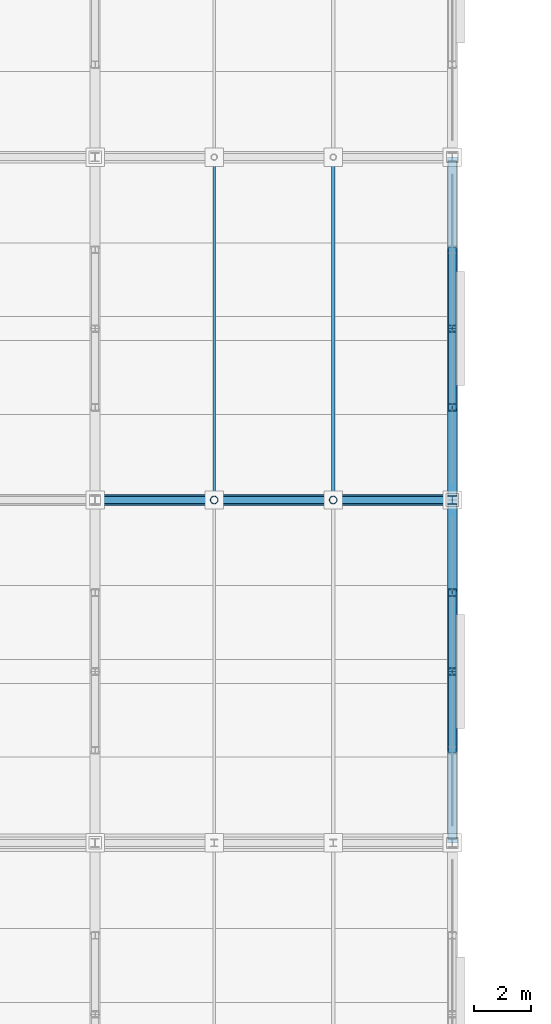
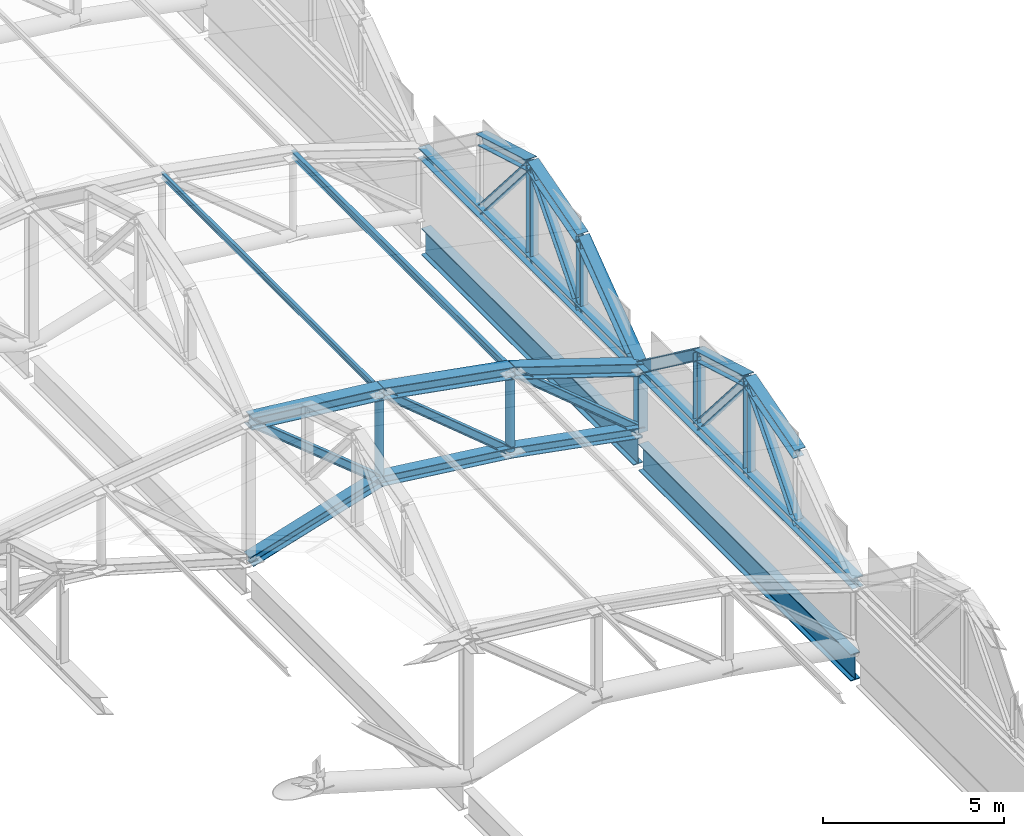
# One storey, part 65 of 117: 30 members, 2 beams.
"""IFC4 building model written with IfcOpenShell, lengths in metres."""

from ifc_helpers import new_model, si_unit, direction, frame, origin, origin_2d, place, context, subcontext, project, spatial, hollow_circle, i_section, extrude, material, material_profile, profile_set, type_object, element, save


model = new_model("IFC4")

# Units and contexts
model_context = context("Model", 3, precision=1e-05, world=origin(), true_north=direction((0.0, 1.0)))
body_context = subcontext(model_context, "Body", "Model", "MODEL_VIEW")
ifc_project = project(units=[si_unit("LENGTHUNIT", "METRE"), si_unit("AREAUNIT", "SQUARE_METRE"), si_unit("VOLUMEUNIT", "CUBIC_METRE"), si_unit("PLANEANGLEUNIT", "RADIAN"), si_unit("MASSUNIT", "GRAM", prefix="KILO")], contexts=[model_context])

# Site, building, storey
site_placement = place(None, origin())
site = spatial("IfcSite", under=ifc_project, at=site_placement, CompositionType="ELEMENT")
building_placement = place(site_placement, origin())
building = spatial("IfcBuilding", under=site, at=building_placement, Name="Kazenohara Klinker Stadium", CompositionType="ELEMENT")
storey_placement = place(building_placement, frame((0.0, 0.0, 31.199951171875)))
storey = spatial("IfcBuildingStorey", under=building, at=storey_placement, Name="RF", CompositionType="ELEMENT", Elevation=31.199951171875)

# Members
ifc_material = material(Name="Steel S355", Category="steel")
ifc_material_profile_1 = material_profile(ifc_material, i_section(OverallWidth=0.25, OverallDepth=0.25, WebThickness=0.009033203125, FlangeThickness=0.013916015625, FilletRadius=0.012939453125, at=origin_2d()), Name="H-250x250x9x14")
ifc_profile_set_1 = profile_set([ifc_material_profile_1], Name="Steel S355")
member_type_1 = type_object("IfcMemberType", Name="MEM-BRC02", PredefinedType="BRACE", material=ifc_profile_set_1)
member_1_placement = place(storey_placement, frame((187.5, 84.0, -0.02001953125), z_axis=(-0.76843159807, 0.0, 0.639931933168), x_axis=(0.0, -1.0, 0.0)))
element("IfcMember", 1, at=member_1_placement, inside=storey, type_object=member_type_1, Name="ROOF TRUSS RT-E04 web diagonal 1", PredefinedType="BRACE", context=body_context, shape_type="SweptSolid", body=[
    extrude(i_section(OverallWidth=0.25, OverallDepth=0.25, WebThickness=0.009033203125, FlangeThickness=0.013916015625, FilletRadius=0.012939453125, at=origin_2d()), origin(), (0.0, 0.0, 1.0), 5.42236328125),
])
member_2_placement = place(storey_placement, frame((183.333251953125, 84.0, 0.75), z_axis=(-0.770229945983, 0.0, 0.637766281887), x_axis=(0.0, -1.0, 0.0)))
element("IfcMember", 2, at=member_2_placement, inside=storey, type_object=member_type_1, Name="ROOF TRUSS RT-E04 web diagonal 2", PredefinedType="BRACE", context=body_context, shape_type="SweptSolid", body=[
    extrude(i_section(OverallWidth=0.25, OverallDepth=0.25, WebThickness=0.009033203125, FlangeThickness=0.013916015625, FilletRadius=0.012939453125, at=origin_2d()), origin(), (0.0, 0.0, 1.0), 5.409423828125),
])
member_3_placement = place(storey_placement, frame((179.166748046875, 84.0, 1.25), z_axis=(-0.774777826172, 0.0, 0.632233596127), x_axis=(0.0, -1.0, 0.0)))
element("IfcMember", 3, at=member_3_placement, inside=storey, type_object=member_type_1, Name="ROOF TRUSS RT-E04 web diagonal 3", PredefinedType="BRACE", context=body_context, shape_type="SweptSolid", body=[
    extrude(i_section(OverallWidth=0.25, OverallDepth=0.25, WebThickness=0.009033203125, FlangeThickness=0.013916015625, FilletRadius=0.012939453125, at=origin_2d()), origin(), (0.0, 0.0, 1.0), 5.3779296875),
])
ifc_material_profile_2 = material_profile(ifc_material, i_section(OverallWidth=0.39990234375, OverallDepth=0.39990234375, WebThickness=0.012939453125, FlangeThickness=0.02099609375, FilletRadius=0.02197265625, at=origin_2d()), Name="H-400x400x13x21")
ifc_profile_set_2 = profile_set([ifc_material_profile_2], Name="Steel S355")
member_type_2 = type_object("IfcMemberType", Name="MEM-CHD01", PredefinedType="CHORD", material=ifc_profile_set_2)
member_4_placement = place(storey_placement, frame((187.5, 84.0, 2.10009765625), z_axis=(-0.951324890397, 0.0, 0.308189800141), x_axis=(0.0, -1.0, 0.0)))
element("IfcMember", 4, at=member_4_placement, inside=storey, type_object=member_type_2, Name="ROOF TRUSS RT-E04 top arched chord 1", PredefinedType="CHORD", context=body_context, shape_type="SweptSolid", body=[
    extrude(i_section(OverallWidth=0.39990234375, OverallDepth=0.39990234375, WebThickness=0.012939453125, FlangeThickness=0.02099609375, FilletRadius=0.02197265625, at=origin_2d()), origin(), (0.0, 0.0, 1.0), 4.3798828125),
])
member_5_placement = place(storey_placement, frame((183.333251953125, 84.0, 3.449951171875), z_axis=(-0.984182117389, 0.0, 0.177159701431), x_axis=(0.0, -1.0, 0.0)))
element("IfcMember", 5, at=member_5_placement, inside=storey, type_object=member_type_2, Name="ROOF TRUSS RT-E04 top arched chord 2", PredefinedType="CHORD", context=body_context, shape_type="SweptSolid", body=[
    extrude(i_section(OverallWidth=0.39990234375, OverallDepth=0.39990234375, WebThickness=0.012939453125, FlangeThickness=0.02099609375, FilletRadius=0.02197265625, at=origin_2d()), origin(), (0.0, 0.0, 1.0), 4.2333984375),
])
member_6_placement = place(storey_placement, frame((179.166748046875, 84.0, 4.199951171875), z_axis=(-0.994213775272, 0.0, 0.107419593461), x_axis=(0.0, -1.0, 0.0)))
element("IfcMember", 6, at=member_6_placement, inside=storey, type_object=member_type_2, Name="ROOF TRUSS RT-E04 top arched chord 3", PredefinedType="CHORD", context=body_context, shape_type="SweptSolid", body=[
    extrude(i_section(OverallWidth=0.39990234375, OverallDepth=0.39990234375, WebThickness=0.012939453125, FlangeThickness=0.02099609375, FilletRadius=0.02197265625, at=origin_2d()), origin(), (0.0, 0.0, 1.0), 4.19091796875),
])
ifc_material_profile_3 = material_profile(ifc_material, i_section(OverallWidth=0.35009765625, OverallDepth=0.35009765625, WebThickness=0.011962890625, FlangeThickness=0.01904296875, FilletRadius=0.012939453125, at=origin_2d()), Name="H-350x350x12x19")
ifc_profile_set_3 = profile_set([ifc_material_profile_3], Name="Steel S355")
member_type_3 = type_object("IfcMemberType", Name="MEM-CHD02", PredefinedType="CHORD", material=ifc_profile_set_3)
member_7_placement = place(storey_placement, frame((187.5, 84.0, -0.02001953125), z_axis=(-0.983349564566, 0.0, 0.181724059685), x_axis=(0.0, -1.0, 0.0)))
element("IfcMember", 7, at=member_7_placement, inside=storey, type_object=member_type_3, Name="ROOF TRUSS RT-E04 bottom arched chord 1", PredefinedType="CHORD", context=body_context, shape_type="SweptSolid", body=[
    extrude(i_section(OverallWidth=0.35009765625, OverallDepth=0.35009765625, WebThickness=0.011962890625, FlangeThickness=0.01904296875, FilletRadius=0.012939453125, at=origin_2d()), origin(), (0.0, 0.0, 1.0), 4.2373046875),
])
member_8_placement = place(storey_placement, frame((183.333251953125, 84.0, 0.75), z_axis=(-0.99287628789, 0.0, 0.119149808836), x_axis=(0.0, -1.0, 0.0)))
element("IfcMember", 8, at=member_8_placement, inside=storey, type_object=member_type_3, Name="ROOF TRUSS RT-E04 bottom arched chord 2", PredefinedType="CHORD", context=body_context, shape_type="SweptSolid", body=[
    extrude(i_section(OverallWidth=0.35009765625, OverallDepth=0.35009765625, WebThickness=0.011962890625, FlangeThickness=0.01904296875, FilletRadius=0.012939453125, at=origin_2d()), origin(), (0.0, 0.0, 1.0), 4.1962890625),
])
member_9_placement = place(storey_placement, frame((179.166748046875, 84.0, 1.25), z_axis=(-0.956553656775, 0.0, -0.291556343971), x_axis=(0.0, -1.0, 0.0)))
element("IfcMember", 9, at=member_9_placement, inside=storey, type_object=member_type_3, Name="ROOF TRUSS RT-E04 bottom arched chord 3", PredefinedType="CHORD", context=body_context, shape_type="SweptSolid", body=[
    extrude(i_section(OverallWidth=0.35009765625, OverallDepth=0.35009765625, WebThickness=0.011962890625, FlangeThickness=0.01904296875, FilletRadius=0.012939453125, at=origin_2d()), origin(), (0.0, 0.0, 1.0), 4.35595703125),
])
member_10_placement = place(storey_placement, frame((187.5, 72.0, 2.10009765625), z_axis=(0.0, 1.0, 0.0), x_axis=(-1.0, 0.0, 0.0)))
element("IfcMember", 10, at=member_10_placement, inside=storey, type_object=member_type_3, Name="Barrel arch tie chord TC02 E-03-N0", PredefinedType="CHORD", context=body_context, shape_type="SweptSolid", body=[
    extrude(i_section(OverallWidth=0.35009765625, OverallDepth=0.35009765625, WebThickness=0.011962890625, FlangeThickness=0.01904296875, FilletRadius=0.012939453125, at=origin_2d()), origin(), (0.0, 0.0, 1.0), 12.0),
])
for number, where, z_axis, x_axis, name in (
    (11, (187.5, 75.239990234375, 4.5), (0.0, 0.960462085918, 0.27841081429), (-1.0, 0.0, 0.0), "Barrel arch top rib TC02 E-03-N0-S2"),
    (12, (187.5, 78.0, 5.300048828125), (0.0, 0.960462085918, -0.27841081429), (-1.0, 0.0, 0.0), "Barrel arch top rib TC02 E-03-N0-S3"),
):
    element("IfcMember", number, at=place(storey_placement, frame(where, z_axis=z_axis, x_axis=x_axis)), inside=storey, type_object=member_type_3, Name=name, PredefinedType="CHORD", context=body_context, shape_type="SweptSolid", body=[
        extrude(i_section(OverallWidth=0.35009765625, OverallDepth=0.35009765625, WebThickness=0.011962890625, FlangeThickness=0.01904296875, FilletRadius=0.012939453125, at=origin_2d()), origin(), (0.0, 0.0, 1.0), 2.87353515625),
    ])
member_11_placement = place(storey_placement, frame((187.5, 80.760009765625, 4.5), z_axis=(0.0, 0.803567919639, -0.595213069856), x_axis=(-1.0, 0.0, 0.0)))
element("IfcMember", 13, at=member_11_placement, inside=storey, type_object=member_type_3, Name="Barrel arch top rib TC02 E-03-N0-S4", PredefinedType="CHORD", context=body_context, shape_type="SweptSolid", body=[
    extrude(i_section(OverallWidth=0.35009765625, OverallDepth=0.35009765625, WebThickness=0.011962890625, FlangeThickness=0.01904296875, FilletRadius=0.012939453125, at=origin_2d()), origin(), (0.0, 0.0, 1.0), 4.031982421875),
])
member_12_placement = place(storey_placement, frame((187.5, 84.0, 2.10009765625), z_axis=(0.0, 1.0, 0.0), x_axis=(-1.0, 0.0, 0.0)))
element("IfcMember", 14, at=member_12_placement, inside=storey, type_object=member_type_3, Name="Barrel arch tie chord TC02 E-04-N0", PredefinedType="CHORD", context=body_context, shape_type="SweptSolid", body=[
    extrude(i_section(OverallWidth=0.35009765625, OverallDepth=0.35009765625, WebThickness=0.011962890625, FlangeThickness=0.01904296875, FilletRadius=0.012939453125, at=origin_2d()), origin(), (0.0, 0.0, 1.0), 12.0),
])
member_13_placement = place(storey_placement, frame((187.5, 84.0, 2.10009765625), z_axis=(0.0, 0.803567919639, 0.595213069856), x_axis=(-1.0, 0.0, 0.0)))
element("IfcMember", 15, at=member_13_placement, inside=storey, type_object=member_type_3, Name="Barrel arch top rib TC02 E-04-N0-S1", PredefinedType="CHORD", context=body_context, shape_type="SweptSolid", body=[
    extrude(i_section(OverallWidth=0.35009765625, OverallDepth=0.35009765625, WebThickness=0.011962890625, FlangeThickness=0.01904296875, FilletRadius=0.012939453125, at=origin_2d()), origin(), (0.0, 0.0, 1.0), 4.031982421875),
])
for number, where, z_axis, x_axis, name in (
    (16, (187.5, 87.239990234375, 4.5), (0.0, 0.960462085918, 0.27841081429), (-1.0, 0.0, 0.0), "Barrel arch top rib TC02 E-04-N0-S2"),
    (17, (187.5, 90.0, 5.300048828125), (0.0, 0.960462085918, -0.27841081429), (-1.0, 0.0, 0.0), "Barrel arch top rib TC02 E-04-N0-S3"),
):
    element("IfcMember", number, at=place(storey_placement, frame(where, z_axis=z_axis, x_axis=x_axis)), inside=storey, type_object=member_type_3, Name=name, PredefinedType="CHORD", context=body_context, shape_type="SweptSolid", body=[
        extrude(i_section(OverallWidth=0.35009765625, OverallDepth=0.35009765625, WebThickness=0.011962890625, FlangeThickness=0.01904296875, FilletRadius=0.012939453125, at=origin_2d()), origin(), (0.0, 0.0, 1.0), 2.87353515625),
    ])
ifc_material_profile_4 = material_profile(ifc_material, i_section(OverallWidth=0.125, OverallDepth=0.25, WebThickness=0.006103515625, FlangeThickness=0.009033203125, FilletRadius=0.008056640625, at=origin_2d()), Name="H-250x125x6x9")
ifc_profile_set_4 = profile_set([ifc_material_profile_4], Name="Steel S355")
member_type_4 = type_object("IfcMemberType", Name="MEM-PUR01", PredefinedType="PURLIN", material=ifc_profile_set_4)
member_14_placement = place(storey_placement, frame((183.333251953125, 84.0, 3.469970703125), z_axis=(0.0, 1.0, 0.0), x_axis=(-1.0, 0.0, 0.0)))
element("IfcMember", 18, at=member_14_placement, inside=storey, type_object=member_type_4, Name="Canopy valley tie purlin PR01 E-04-N1", PredefinedType="PURLIN", context=body_context, shape_type="SweptSolid", body=[
    extrude(i_section(OverallWidth=0.125, OverallDepth=0.25, WebThickness=0.006103515625, FlangeThickness=0.009033203125, FilletRadius=0.008056640625, at=origin_2d()), origin(), (0.0, 0.0, 1.0), 12.0),
])
ifc_material_profile_5 = material_profile(ifc_material, i_section(OverallWidth=0.10009765625, OverallDepth=0.199951171875, WebThickness=0.005615234375, FlangeThickness=0.008056640625, FilletRadius=0.008056640625, at=origin_2d()), Name="H-200x100x5.5x8")
ifc_profile_set_5 = profile_set([ifc_material_profile_5], Name="Steel S355")
member_type_5 = type_object("IfcMemberType", Name="MEM-PUR02", PredefinedType="PURLIN", material=ifc_profile_set_5)
member_15_placement = place(storey_placement, frame((179.166748046875, 84.0, 4.219970703125), z_axis=(0.0, 1.0, 0.0), x_axis=(-1.0, 0.0, 0.0)))
element("IfcMember", 19, at=member_15_placement, inside=storey, type_object=member_type_5, Name="Canopy valley tie purlin PR02 E-04-N2", PredefinedType="PURLIN", context=body_context, shape_type="SweptSolid", body=[
    extrude(i_section(OverallWidth=0.10009765625, OverallDepth=0.199951171875, WebThickness=0.005615234375, FlangeThickness=0.008056640625, FilletRadius=0.008056640625, at=origin_2d()), origin(), (0.0, 0.0, 1.0), 12.0),
])
ifc_material_profile_6 = material_profile(ifc_material, i_section(OverallWidth=0.300048828125, OverallDepth=0.300048828125, WebThickness=0.010009765625, FlangeThickness=0.014892578125, FilletRadius=0.012939453125, at=origin_2d()), Name="H-300x300x10x15")
ifc_profile_set_6 = profile_set([ifc_material_profile_6], Name="Steel S355")
member_type_6 = type_object("IfcMemberType", Name="MEM-STR01", PredefinedType="STRUT", material=ifc_profile_set_6)
member_16_placement = place(storey_placement, frame((187.5, 84.0, -0.02001953125), z_axis=(0.0, 0.0, 1.0), x_axis=(1.0, 0.0, 0.0)))
element("IfcMember", 20, at=member_16_placement, inside=storey, type_object=member_type_6, Name="ROOF TRUSS RT-E04 web post 1", PredefinedType="STRUT", context=body_context, shape_type="SweptSolid", body=[
    extrude(i_section(OverallWidth=0.300048828125, OverallDepth=0.300048828125, WebThickness=0.010009765625, FlangeThickness=0.014892578125, FilletRadius=0.012939453125, at=origin_2d()), origin(), (0.0, 0.0, 1.0), 2.1201171875),
])
ifc_material_profile_7 = material_profile(ifc_material, i_section(OverallWidth=0.25, OverallDepth=0.25, WebThickness=0.009033203125, FlangeThickness=0.013916015625, FilletRadius=0.012939453125, at=origin_2d()), Name="H-250x250x9x14")
ifc_profile_set_7 = profile_set([ifc_material_profile_7], Name="Steel S355")
member_type_7 = type_object("IfcMemberType", Name="MEM-STR02", PredefinedType="STRUT", material=ifc_profile_set_7)
member_17_placement = place(storey_placement, frame((187.5, 78.0, 2.10009765625), z_axis=(0.0, 0.0, 1.0), x_axis=(1.0, 0.0, 0.0)))
element("IfcMember", 21, at=member_17_placement, inside=storey, type_object=member_type_7, Name="Barrel arch web post TS02 E-03-N0-P2", PredefinedType="STRUT", context=body_context, shape_type="SweptSolid", body=[
    extrude(i_section(OverallWidth=0.25, OverallDepth=0.25, WebThickness=0.009033203125, FlangeThickness=0.013916015625, FilletRadius=0.012939453125, at=origin_2d()), origin(), (0.0, 0.0, 1.0), 3.199951171875),
])
member_18_placement = place(storey_placement, frame((187.5, 80.760009765625, 2.10009765625), z_axis=(0.0, 0.0, 1.0), x_axis=(1.0, 0.0, 0.0)))
element("IfcMember", 22, at=member_18_placement, inside=storey, type_object=member_type_7, Name="Barrel arch web post TS02 E-03-N0-P3", PredefinedType="STRUT", context=body_context, shape_type="SweptSolid", body=[
    extrude(i_section(OverallWidth=0.25, OverallDepth=0.25, WebThickness=0.009033203125, FlangeThickness=0.013916015625, FilletRadius=0.012939453125, at=origin_2d()), origin(), (0.0, 0.0, 1.0), 2.39990234375),
])
for number, where, z_axis, x_axis, name in (
    (23, (187.5, 75.239990234375, 2.10009765625), (0.0, 0.653133887971, 0.757242447558), (-1.0, 0.0, 0.0), "Barrel arch web diagonal TS02 E-03-N0-D1"),
    (24, (187.5, 80.760009765625, 2.10009765625), (0.0, -0.653133887971, 0.757242447558), (1.0, 0.0, 0.0), "Barrel arch web diagonal TS02 E-03-N0-D2"),
):
    element("IfcMember", number, at=place(storey_placement, frame(where, z_axis=z_axis, x_axis=x_axis)), inside=storey, type_object=member_type_7, Name=name, PredefinedType="STRUT", context=body_context, shape_type="SweptSolid", body=[
        extrude(i_section(OverallWidth=0.25, OverallDepth=0.25, WebThickness=0.009033203125, FlangeThickness=0.013916015625, FilletRadius=0.012939453125, at=origin_2d()), origin(), (0.0, 0.0, 1.0), 4.225830078125),
    ])
member_19_placement = place(storey_placement, frame((187.5, 87.239990234375, 2.10009765625), z_axis=(0.0, 0.0, 1.0), x_axis=(1.0, 0.0, 0.0)))
element("IfcMember", 25, at=member_19_placement, inside=storey, type_object=member_type_7, Name="Barrel arch web post TS02 E-04-N0-P1", PredefinedType="STRUT", context=body_context, shape_type="SweptSolid", body=[
    extrude(i_section(OverallWidth=0.25, OverallDepth=0.25, WebThickness=0.009033203125, FlangeThickness=0.013916015625, FilletRadius=0.012939453125, at=origin_2d()), origin(), (0.0, 0.0, 1.0), 2.39990234375),
])
member_20_placement = place(storey_placement, frame((187.5, 90.0, 2.10009765625), z_axis=(0.0, 0.0, 1.0), x_axis=(1.0, 0.0, 0.0)))
element("IfcMember", 26, at=member_20_placement, inside=storey, type_object=member_type_7, Name="Barrel arch web post TS02 E-04-N0-P2", PredefinedType="STRUT", context=body_context, shape_type="SweptSolid", body=[
    extrude(i_section(OverallWidth=0.25, OverallDepth=0.25, WebThickness=0.009033203125, FlangeThickness=0.013916015625, FilletRadius=0.012939453125, at=origin_2d()), origin(), (0.0, 0.0, 1.0), 3.199951171875),
])
for number, where, z_axis, x_axis, name in (
    (27, (187.5, 87.239990234375, 2.10009765625), (0.0, 0.653133887971, 0.757242447558), (-1.0, 0.0, 0.0), "Barrel arch web diagonal TS02 E-04-N0-D1"),
    (28, (187.5, 92.760009765625, 2.10009765625), (0.0, -0.653133887971, 0.757242447558), (1.0, 0.0, 0.0), "Barrel arch web diagonal TS02 E-04-N0-D2"),
):
    element("IfcMember", number, at=place(storey_placement, frame(where, z_axis=z_axis, x_axis=x_axis)), inside=storey, type_object=member_type_7, Name=name, PredefinedType="STRUT", context=body_context, shape_type="SweptSolid", body=[
        extrude(i_section(OverallWidth=0.25, OverallDepth=0.25, WebThickness=0.009033203125, FlangeThickness=0.013916015625, FilletRadius=0.012939453125, at=origin_2d()), origin(), (0.0, 0.0, 1.0), 4.225830078125),
    ])
ifc_material_profile_8 = material_profile(ifc_material, hollow_circle(Radius=0.1337890625, WallThickness=0.009033203125, at=origin_2d()), Name="CHS-267.4x9")
ifc_profile_set_8 = profile_set([ifc_material_profile_8], Name="Steel S355")
member_type_8 = type_object("IfcMemberType", Name="MEM-STR03", PredefinedType="STRUT", material=ifc_profile_set_8)
member_21_placement = place(storey_placement, frame((183.333251953125, 84.0, 0.75), z_axis=(0.0, 0.0, 1.0), x_axis=(1.0, 0.0, 0.0)))
element("IfcMember", 29, at=member_21_placement, inside=storey, type_object=member_type_8, Name="ROOF TRUSS RT-E04 web post 2", PredefinedType="STRUT", context=body_context, shape_type="SweptSolid", body=[
    extrude(hollow_circle(Radius=0.1337890625, WallThickness=0.009033203125, at=origin_2d()), origin(), (0.0, 0.0, 1.0), 2.699951171875),
])
member_22_placement = place(storey_placement, frame((179.166748046875, 84.0, 1.25), z_axis=(0.0, 0.0, 1.0), x_axis=(1.0, 0.0, 0.0)))
element("IfcMember", 30, at=member_22_placement, inside=storey, type_object=member_type_8, Name="ROOF TRUSS RT-E04 web post 3", PredefinedType="STRUT", context=body_context, shape_type="SweptSolid", body=[
    extrude(hollow_circle(Radius=0.1337890625, WallThickness=0.009033203125, at=origin_2d()), origin(), (0.0, 0.0, 1.0), 2.949951171875),
])

# Beams
ifc_material_profile_9 = material_profile(ifc_material, i_section(OverallWidth=0.300048828125, OverallDepth=0.89990234375, WebThickness=0.01611328125, FlangeThickness=0.028076171875, FilletRadius=0.02197265625, at=origin_2d()), Name="H-900x300x16x28")
ifc_profile_set_9 = profile_set([ifc_material_profile_9], Name="Steel S355")
beam_type = type_object("IfcBeamType", Name="RING-RB01", PredefinedType="USERDEFINED", material=ifc_profile_set_9)
for number, where, z_axis, x_axis, name in (
    (31, (187.5, 72.139892578125, -0.820068359375), (0.0, 1.0, 0.0), (-1.0, 0.0, 0.0), "Roof ring beam RB01 E-OUT G-H"),
    (32, (187.5, 84.139892578125, -0.820068359375), (0.0, 1.0, 0.0), (-1.0, 0.0, 0.0), "Roof ring beam RB01 E-OUT H-J"),
):
    element("IfcBeam", number, at=place(storey_placement, frame(where, z_axis=z_axis, x_axis=x_axis)), inside=storey, type_object=beam_type, Name=name, ObjectType="RING BEAM", PredefinedType="USERDEFINED", context=body_context, shape_type="SweptSolid", body=[
        extrude(i_section(OverallWidth=0.300048828125, OverallDepth=0.89990234375, WebThickness=0.01611328125, FlangeThickness=0.028076171875, FilletRadius=0.02197265625, at=origin_2d()), origin(), (0.0, 0.0, 1.0), 11.72021484375),
    ])

save(model, "model.ifc")
